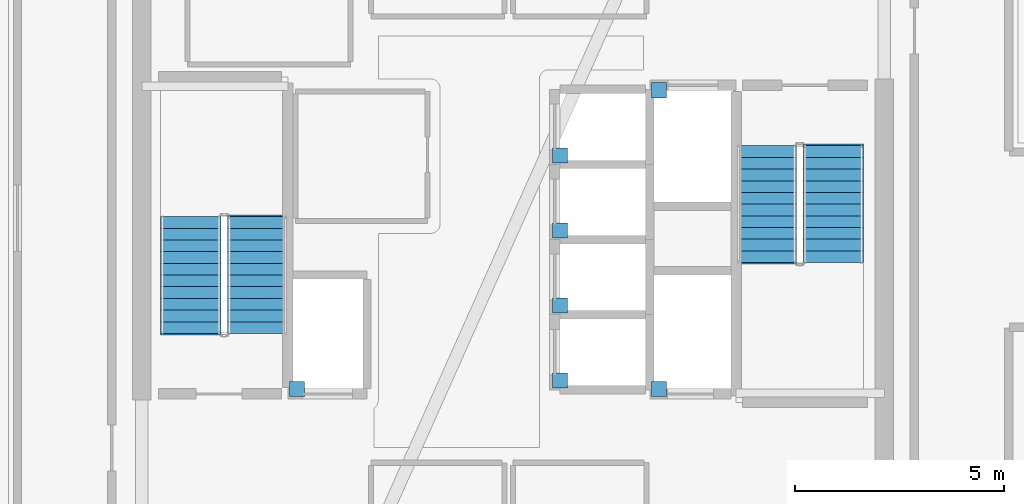
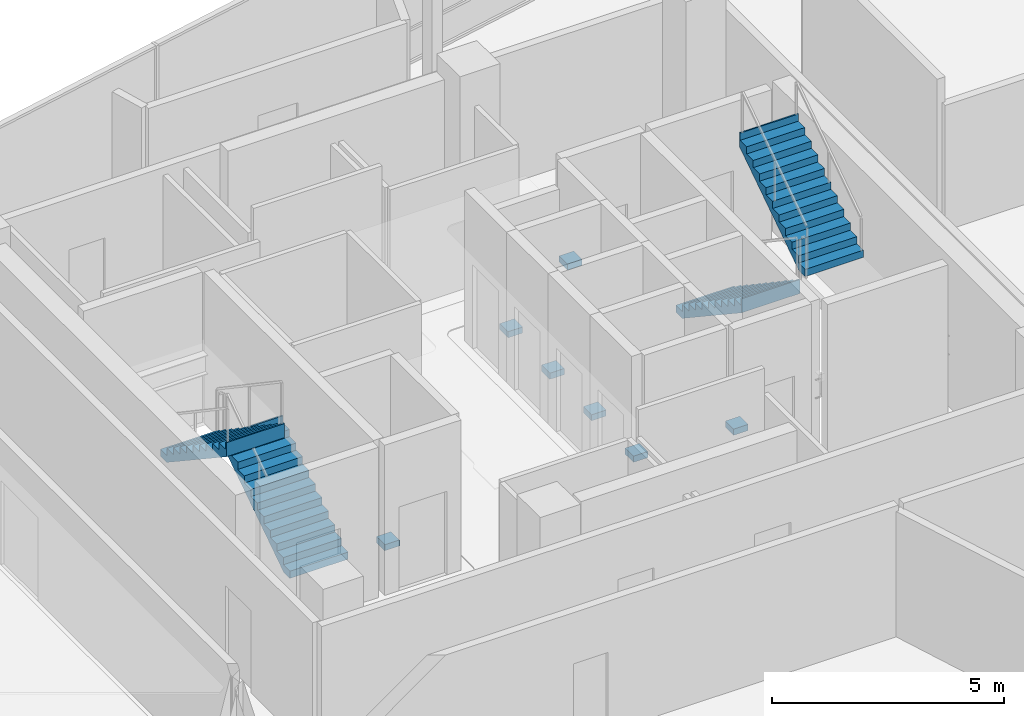
# One storey, part 13 of 16: 7 discrete accessories, 4 stair flights, 2 elements without a shape of their own.
"""IFC4 building model written with IfcOpenShell, lengths in metres."""

from ifc_helpers import new_model, si_unit, direction, frame, origin, origin_2d, place, context, subcontext, project, spatial, polyline, rectangle, outline, extrude, material, type_object, element, aggregate, save


model = new_model("IFC4")

# Units and contexts
model_context = context("Model", 3, precision=1e-05, world=origin(), true_north=direction((0.0, 1.0)))
body_context = subcontext(model_context, "Body", "Model", "MODEL_VIEW")
ifc_project = project(units=[si_unit("LENGTHUNIT", "METRE"), si_unit("AREAUNIT", "SQUARE_METRE"), si_unit("VOLUMEUNIT", "CUBIC_METRE"), si_unit("PLANEANGLEUNIT", "RADIAN"), si_unit("MASSUNIT", "GRAM", prefix="KILO")], contexts=[model_context])

# Site, building, storey
site_placement = place(None, origin())
site = spatial("IfcSite", under=ifc_project, at=site_placement, CompositionType="ELEMENT")
building_placement = place(site_placement, origin())
building = spatial("IfcBuilding", under=site, at=building_placement, Name="Tharavind Bronze Gate", CompositionType="ELEMENT")
storey_placement = place(building_placement, frame((0.0, 0.0, 302.14990234375)))
storey = spatial("IfcBuildingStorey", under=building, at=storey_placement, Name="L78", CompositionType="ELEMENT", Elevation=302.14990234375)

# Stair, stair flights
ifc_material_1 = material(Name="Concrete C40/50", Category="concrete")
stair_type = type_object("IfcStairType", Name="CORE HALF TURN STAIR 1450", PredefinedType="HALF_TURN_STAIR", material=ifc_material_1)
stair_1_placement = place(storey_placement, origin())
stair_1 = element("IfcStair", 1, at=stair_1_placement, inside=storey, type_object=stair_type, Name="L78 Protected Exit Stair ST1", PredefinedType="HALF_TURN_STAIR")
stair_flight_type = type_object("IfcStairFlightType", Name="CORE STAIR FLIGHT 1450", PredefinedType="STRAIGHT", material=ifc_material_1)
stair_flight_1_placement = place(storey_placement, frame((-6.125, -2.25, 0.0), z_axis=(0.0, 0.0, 1.0), x_axis=(0.0, 1.0, 0.0)))
stair_flight_1 = element("IfcStairFlight", 2, at=stair_flight_1_placement, type_object=stair_flight_type, Name="ST1 flight 1", NumberOfRisers=11, NumberOfTreads=10, PredefinedType="STRAIGHT", RiserHeight=0.188636364, TreadLength=0.28, context=body_context, shape_type="SweptSolid", body=[
    extrude(outline(polyline([(0.0, 0.0), (0.0, 0.188720703125), (0.280029296875, 0.188720703125), (0.280029296875, 0.377197265625), (0.56005859375, 0.377197265625), (0.56005859375, 0.56591796875), (0.840087890625, 0.56591796875), (0.840087890625, 0.754638671875), (1.1201171875, 0.754638671875), (1.1201171875, 0.943115234375), (1.39990234375, 0.943115234375), (1.39990234375, 1.1318359375), (1.679931640625, 1.1318359375), (1.679931640625, 1.320556640625), (1.9599609375, 1.320556640625), (1.9599609375, 1.509033203125), (2.239990234375, 1.509033203125), (2.239990234375, 1.69775390625), (2.52001953125, 1.69775390625), (2.52001953125, 1.886474609375), (2.800048828125, 1.886474609375), (2.800048828125, 2.074951171875), (2.8359375, 2.074951171875), (2.8359375, 1.70556640625), (0.268310546875, 0.0), (0.0, 0.0)])), frame((0.0, 0.72509765625, 0.0), z_axis=(0.0, -1.0, 0.0), x_axis=(1.0, 0.0, 0.0)), (0.0, 0.0, 1.0), 1.449951171875),
])
stair_flight_2_placement = place(storey_placement, frame((-7.72509765625, 0.550048828125, 2.0751953125), z_axis=(0.0, 0.0, 1.0), x_axis=(0.0, -1.0, 0.0)))
stair_flight_2 = element("IfcStairFlight", 3, at=stair_flight_2_placement, type_object=stair_flight_type, Name="ST1 flight 2", NumberOfRisers=11, NumberOfTreads=10, PredefinedType="STRAIGHT", RiserHeight=0.188636364, TreadLength=0.28, context=body_context, shape_type="SweptSolid", body=[
    extrude(outline(polyline([(0.0, 0.0), (0.0, 0.188720703125), (0.280029296875, 0.188720703125), (0.280029296875, 0.377197265625), (0.56005859375, 0.377197265625), (0.56005859375, 0.56591796875), (0.840087890625, 0.56591796875), (0.840087890625, 0.754638671875), (1.1201171875, 0.754638671875), (1.1201171875, 0.943115234375), (1.39990234375, 0.943115234375), (1.39990234375, 1.1318359375), (1.679931640625, 1.1318359375), (1.679931640625, 1.320556640625), (1.9599609375, 1.320556640625), (1.9599609375, 1.509033203125), (2.239990234375, 1.509033203125), (2.239990234375, 1.69775390625), (2.52001953125, 1.69775390625), (2.52001953125, 1.886474609375), (2.800048828125, 1.886474609375), (2.800048828125, 2.074951171875), (2.8359375, 2.074951171875), (2.8359375, 1.70556640625), (0.268310546875, 0.0), (0.0, 0.0)])), frame((0.0, 0.72509765625, 0.0), z_axis=(0.0, -1.0, 0.0), x_axis=(1.0, 0.0, 0.0)), (0.0, 0.0, 1.0), 1.449951171875),
])
aggregate(stair_1, [stair_flight_1, stair_flight_2])

stair_2_placement = place(storey_placement, origin())
stair_2 = element("IfcStair", 4, at=stair_2_placement, inside=storey, type_object=stair_type, Name="L78 Protected Exit Stair ST2", PredefinedType="HALF_TURN_STAIR")
stair_flight_3_placement = place(storey_placement, frame((6.074951171875, 2.25, 0.0), z_axis=(0.0, 0.0, 1.0), x_axis=(0.0, -1.0, 0.0)))
stair_flight_3 = element("IfcStairFlight", 5, at=stair_flight_3_placement, type_object=stair_flight_type, Name="ST2 flight 1", NumberOfRisers=11, NumberOfTreads=10, PredefinedType="STRAIGHT", RiserHeight=0.188636364, TreadLength=0.28, context=body_context, shape_type="SweptSolid", body=[
    extrude(outline(polyline([(0.0, 0.0), (0.0, 0.188720703125), (0.280029296875, 0.188720703125), (0.280029296875, 0.377197265625), (0.56005859375, 0.377197265625), (0.56005859375, 0.56591796875), (0.840087890625, 0.56591796875), (0.840087890625, 0.754638671875), (1.1201171875, 0.754638671875), (1.1201171875, 0.943115234375), (1.39990234375, 0.943115234375), (1.39990234375, 1.1318359375), (1.679931640625, 1.1318359375), (1.679931640625, 1.320556640625), (1.9599609375, 1.320556640625), (1.9599609375, 1.509033203125), (2.239990234375, 1.509033203125), (2.239990234375, 1.69775390625), (2.52001953125, 1.69775390625), (2.52001953125, 1.886474609375), (2.800048828125, 1.886474609375), (2.800048828125, 2.074951171875), (2.8359375, 2.074951171875), (2.8359375, 1.70556640625), (0.268310546875, 0.0), (0.0, 0.0)])), frame((0.0, 0.72509765625, 0.0), z_axis=(0.0, -1.0, 0.0), x_axis=(1.0, 0.0, 0.0)), (0.0, 0.0, 1.0), 1.449951171875),
])
stair_flight_4_placement = place(storey_placement, frame((7.675048828125, -0.550048828125, 2.0751953125), z_axis=(0.0, 0.0, 1.0), x_axis=(0.0, 1.0, 0.0)))
stair_flight_4 = element("IfcStairFlight", 6, at=stair_flight_4_placement, type_object=stair_flight_type, Name="ST2 flight 2", NumberOfRisers=11, NumberOfTreads=10, PredefinedType="STRAIGHT", RiserHeight=0.188636364, TreadLength=0.28, context=body_context, shape_type="SweptSolid", body=[
    extrude(outline(polyline([(0.0, 0.0), (0.0, 0.188720703125), (0.280029296875, 0.188720703125), (0.280029296875, 0.377197265625), (0.56005859375, 0.377197265625), (0.56005859375, 0.56591796875), (0.840087890625, 0.56591796875), (0.840087890625, 0.754638671875), (1.1201171875, 0.754638671875), (1.1201171875, 0.943115234375), (1.39990234375, 0.943115234375), (1.39990234375, 1.1318359375), (1.679931640625, 1.1318359375), (1.679931640625, 1.320556640625), (1.9599609375, 1.320556640625), (1.9599609375, 1.509033203125), (2.239990234375, 1.509033203125), (2.239990234375, 1.69775390625), (2.52001953125, 1.69775390625), (2.52001953125, 1.886474609375), (2.800048828125, 1.886474609375), (2.800048828125, 2.074951171875), (2.8359375, 2.074951171875), (2.8359375, 1.70556640625), (0.268310546875, 0.0), (0.0, 0.0)])), frame((0.0, 0.72509765625, 0.0), z_axis=(0.0, -1.0, 0.0), x_axis=(1.0, 0.0, 0.0)), (0.0, 0.0, 1.0), 1.449951171875),
])
aggregate(stair_2, [stair_flight_3, stair_flight_4])

# Discrete accessories
ifc_material_2 = material(Name="Galvanised Steel S355", Category="steel")
discrete_accessory_type = type_object("IfcDiscreteAccessoryType", Name="LIFT GUIDE RAIL BRACKET", PredefinedType="BRACKET", material=ifc_material_2)
for number, where, z_axis, x_axis, name in (
    (7, (1.1201171875, -3.3798828125, 1.1201171875), (0.0, 0.0, 1.0), (1.0, 0.0, 0.0), "Lift PL9 guide rail bracket at L78"),
    (8, (1.1201171875, -1.580078125, 1.1201171875), (0.0, 0.0, 1.0), (1.0, 0.0, 0.0), "Lift PL10 guide rail bracket at L78"),
    (9, (1.1201171875, 0.219970703125, 1.1201171875), (0.0, 0.0, 1.0), (1.0, 0.0, 0.0), "Lift PL11 guide rail bracket at L78"),
    (10, (1.1201171875, 2.02001953125, 1.1201171875), (0.0, 0.0, 1.0), (1.0, 0.0, 0.0), "Lift PL12 guide rail bracket at L78"),
    (11, (-5.179931640625, -3.580078125, 1.1201171875), (0.0, 0.0, 1.0), (1.0, 0.0, 0.0), "Lift FFL1 guide rail bracket at L78"),
    (12, (3.5, 3.580078125, 1.1201171875), (0.0, 0.0, 1.0), (1.0, 0.0, 0.0), "Lift FFL2 guide rail bracket at L78"),
    (13, (3.5, -3.580078125, 1.1201171875), (0.0, 0.0, 1.0), (1.0, 0.0, 0.0), "Lift SVL1 guide rail bracket at L78"),
):
    element("IfcDiscreteAccessory", number, at=place(storey_placement, frame(where, z_axis=z_axis, x_axis=x_axis)), inside=storey, type_object=discrete_accessory_type, Name=name, PredefinedType="BRACKET", context=body_context, shape_type="SweptSolid", body=[
        extrude(rectangle(XDim=0.360107421875, YDim=0.360107421875, at=origin_2d()), origin(), (0.0, 0.0, 1.0), 0.159912109375),
    ])

save(model, "model.ifc")
